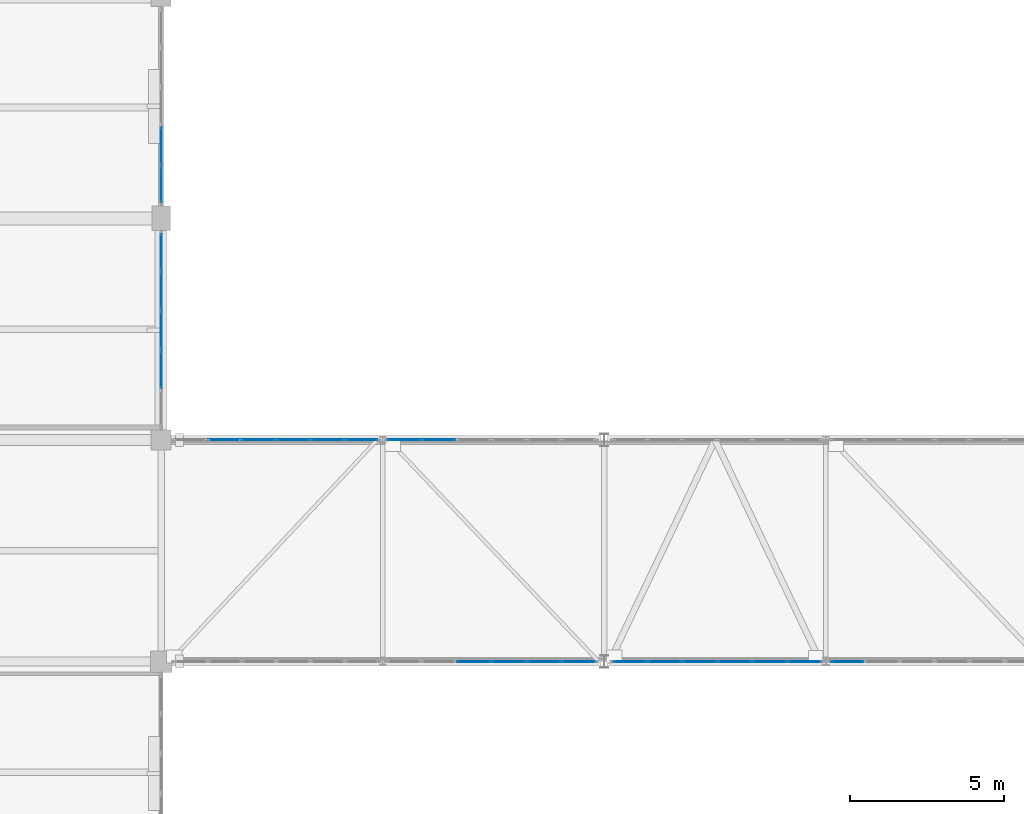
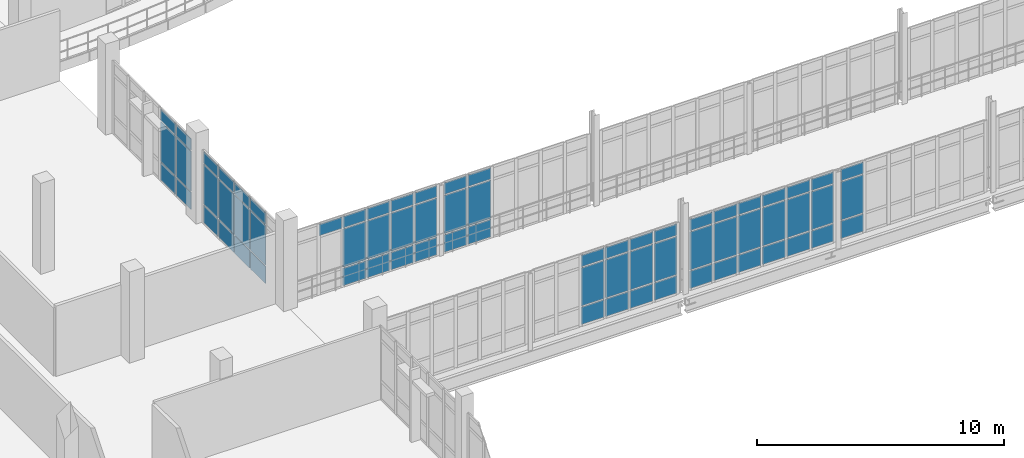
# One storey, part 85 of 116: 70 plates, 7 elements without a shape of their own.
"""IFC4 building model written with IfcOpenShell, lengths in metres."""

from ifc_helpers import new_model, si_unit, direction, frame, origin, origin_2d, place, context, subcontext, project, spatial, rectangle, extrude, material, layer, layer_set, type_object, element, aggregate, save


model = new_model("IFC4")

# Units and contexts
model_context = context("Model", 3, precision=1e-05, world=origin(), true_north=direction((0.0, 1.0)))
body_context = subcontext(model_context, "Body", "Model", "MODEL_VIEW")
ifc_project = project(units=[si_unit("LENGTHUNIT", "METRE"), si_unit("AREAUNIT", "SQUARE_METRE"), si_unit("VOLUMEUNIT", "CUBIC_METRE"), si_unit("PLANEANGLEUNIT", "RADIAN"), si_unit("MASSUNIT", "GRAM", prefix="KILO")], contexts=[model_context])

# Site, building, storey
site_placement = place(None, origin())
site = spatial("IfcSite", under=ifc_project, at=site_placement, CompositionType="ELEMENT")
building_placement = place(site_placement, origin())
building = spatial("IfcBuilding", under=site, at=building_placement, Name="Kalluvel Institute of Natural Sciences", CompositionType="ELEMENT")
storey_placement = place(building_placement, frame((0.0, 0.0, 14.39990234375)))
storey = spatial("IfcBuildingStorey", under=building, at=storey_placement, Name="L03", CompositionType="ELEMENT", Elevation=14.39990234375)

# Curtain wall, plates
ifc_material_1 = material(Name="Aluminium AW-6063 T6", Category="aluminium")
curtain_wall_type_1 = type_object("IfcCurtainWallType", Name="CW-DRY-45", PredefinedType="USERDEFINED", material=ifc_material_1)
curtain_wall_1_placement = place(storey_placement, origin())
curtain_wall_1 = element("IfcCurtainWall", 1, at=curtain_wall_1_placement, inside=storey, type_object=curtain_wall_type_1, Name="L03 Gothic lancet curtain wall CWA-L03-X356-Y360", ObjectType="UNITISED LANCET FACADE", PredefinedType="USERDEFINED")
ifc_material_2 = material(Name="Solar-Control Low-E Laminated Glass", Category="glass")
ifc_layer = layer(ifc_material_2, 0.031982421875)
ifc_layer_set = layer_set([ifc_layer], Name="Solar-Control Low-E Laminated Glass")
plate_type = type_object("IfcPlateType", Name="CWP-DGU-32", PredefinedType="CURTAIN_PANEL", material=ifc_layer_set)
plate_1_placement = place(storey_placement, frame((35.60009765625, 37.887451171875, 0.065185546875), z_axis=(0.0, 0.0, 1.0), x_axis=(0.0, 1.0, 0.0)))
plate_1 = element("IfcPlate", 2, at=plate_1_placement, type_object=plate_type, Name="CW-03 panel 2.1", PredefinedType="CURTAIN_PANEL", context=body_context, shape_type="SweptSolid", body=[
    extrude(rectangle(XDim=1.2099609375, YDim=0.031982421875, at=origin_2d()), origin(), (0.0, 0.0, 1.0), 0.8525390625),
])
plate_2_placement = place(storey_placement, frame((35.60009765625, 37.887451171875, 0.982666015625), z_axis=(0.0, 0.0, 1.0), x_axis=(0.0, 1.0, 0.0)))
plate_2 = element("IfcPlate", 3, at=plate_2_placement, type_object=plate_type, Name="CW-03 panel 2.2", PredefinedType="CURTAIN_PANEL", context=body_context, shape_type="SweptSolid", body=[
    extrude(rectangle(XDim=1.2099609375, YDim=0.031982421875, at=origin_2d()), origin(), (0.0, 0.0, 1.0), 1.955078125),
])
plate_3_placement = place(storey_placement, frame((35.60009765625, 37.887451171875, 3.00244140625), z_axis=(0.0, 0.0, 1.0), x_axis=(0.0, 1.0, 0.0)))
plate_3 = element("IfcPlate", 4, at=plate_3_placement, type_object=plate_type, Name="CW-03 panel 2.3", PredefinedType="CURTAIN_PANEL", context=body_context, shape_type="SweptSolid", body=[
    extrude(rectangle(XDim=1.2099609375, YDim=0.031982421875, at=origin_2d()), origin(), (0.0, 0.0, 1.0), 0.552490234375),
])
plate_4_placement = place(storey_placement, frame((35.60009765625, 39.16259765625, 0.065185546875), z_axis=(0.0, 0.0, 1.0), x_axis=(0.0, 1.0, 0.0)))
plate_4 = element("IfcPlate", 5, at=plate_4_placement, type_object=plate_type, Name="CW-03 panel 3.1", PredefinedType="CURTAIN_PANEL", context=body_context, shape_type="SweptSolid", body=[
    extrude(rectangle(XDim=1.2099609375, YDim=0.031982421875, at=origin_2d()), origin(), (0.0, 0.0, 1.0), 0.8525390625),
])
plate_5_placement = place(storey_placement, frame((35.60009765625, 39.16259765625, 0.982666015625), z_axis=(0.0, 0.0, 1.0), x_axis=(0.0, 1.0, 0.0)))
plate_5 = element("IfcPlate", 6, at=plate_5_placement, type_object=plate_type, Name="CW-03 panel 3.2", PredefinedType="CURTAIN_PANEL", context=body_context, shape_type="SweptSolid", body=[
    extrude(rectangle(XDim=1.2099609375, YDim=0.031982421875, at=origin_2d()), origin(), (0.0, 0.0, 1.0), 1.955078125),
])
plate_6_placement = place(storey_placement, frame((35.60009765625, 39.16259765625, 3.00244140625), z_axis=(0.0, 0.0, 1.0), x_axis=(0.0, 1.0, 0.0)))
plate_6 = element("IfcPlate", 7, at=plate_6_placement, type_object=plate_type, Name="CW-03 panel 3.3", PredefinedType="CURTAIN_PANEL", context=body_context, shape_type="SweptSolid", body=[
    extrude(rectangle(XDim=1.2099609375, YDim=0.031982421875, at=origin_2d()), origin(), (0.0, 0.0, 1.0), 0.552490234375),
])
plate_7_placement = place(storey_placement, frame((35.60009765625, 40.4375, 0.065185546875), z_axis=(0.0, 0.0, 1.0), x_axis=(0.0, 1.0, 0.0)))
plate_7 = element("IfcPlate", 8, at=plate_7_placement, type_object=plate_type, Name="CW-03 panel 4.1", PredefinedType="CURTAIN_PANEL", context=body_context, shape_type="SweptSolid", body=[
    extrude(rectangle(XDim=1.2099609375, YDim=0.031982421875, at=origin_2d()), origin(), (0.0, 0.0, 1.0), 0.8525390625),
])
plate_8_placement = place(storey_placement, frame((35.60009765625, 40.4375, 0.982666015625), z_axis=(0.0, 0.0, 1.0), x_axis=(0.0, 1.0, 0.0)))
plate_8 = element("IfcPlate", 9, at=plate_8_placement, type_object=plate_type, Name="CW-03 panel 4.2", PredefinedType="CURTAIN_PANEL", context=body_context, shape_type="SweptSolid", body=[
    extrude(rectangle(XDim=1.2099609375, YDim=0.031982421875, at=origin_2d()), origin(), (0.0, 0.0, 1.0), 1.955078125),
])
plate_9_placement = place(storey_placement, frame((35.60009765625, 40.4375, 3.00244140625), z_axis=(0.0, 0.0, 1.0), x_axis=(0.0, 1.0, 0.0)))
plate_9 = element("IfcPlate", 10, at=plate_9_placement, type_object=plate_type, Name="CW-03 panel 4.3", PredefinedType="CURTAIN_PANEL", context=body_context, shape_type="SweptSolid", body=[
    extrude(rectangle(XDim=1.2099609375, YDim=0.031982421875, at=origin_2d()), origin(), (0.0, 0.0, 1.0), 0.552490234375),
])
plate_10_placement = place(storey_placement, frame((35.60009765625, 41.6962890625, 0.065185546875), z_axis=(0.0, 0.0, 1.0), x_axis=(0.0, 1.0, 0.0)))
plate_10 = element("IfcPlate", 11, at=plate_10_placement, type_object=plate_type, Name="CW-03 panel 5.1", PredefinedType="CURTAIN_PANEL", context=body_context, shape_type="SweptSolid", body=[
    extrude(rectangle(XDim=1.177490234375, YDim=0.031982421875, at=origin_2d()), origin(), (0.0, 0.0, 1.0), 0.8525390625),
])
plate_11_placement = place(storey_placement, frame((35.60009765625, 41.6962890625, 0.982666015625), z_axis=(0.0, 0.0, 1.0), x_axis=(0.0, 1.0, 0.0)))
plate_11 = element("IfcPlate", 12, at=plate_11_placement, type_object=plate_type, Name="CW-03 panel 5.2", PredefinedType="CURTAIN_PANEL", context=body_context, shape_type="SweptSolid", body=[
    extrude(rectangle(XDim=1.177490234375, YDim=0.031982421875, at=origin_2d()), origin(), (0.0, 0.0, 1.0), 1.955078125),
])
plate_12_placement = place(storey_placement, frame((35.60009765625, 41.6962890625, 3.00244140625), z_axis=(0.0, 0.0, 1.0), x_axis=(0.0, 1.0, 0.0)))
plate_12 = element("IfcPlate", 13, at=plate_12_placement, type_object=plate_type, Name="CW-03 panel 5.3", PredefinedType="CURTAIN_PANEL", context=body_context, shape_type="SweptSolid", body=[
    extrude(rectangle(XDim=1.177490234375, YDim=0.031982421875, at=origin_2d()), origin(), (0.0, 0.0, 1.0), 0.552490234375),
])
aggregate(curtain_wall_1, [plate_1, plate_2, plate_3, plate_4, plate_5, plate_6, plate_7, plate_8, plate_9, plate_10, plate_11, plate_12])

curtain_wall_2_placement = place(storey_placement, origin())
curtain_wall_2 = element("IfcCurtainWall", 14, at=curtain_wall_2_placement, inside=storey, type_object=curtain_wall_type_1, Name="L03 Gothic lancet curtain wall CWA-L03-X356-Y432", ObjectType="UNITISED LANCET FACADE", PredefinedType="USERDEFINED")
plate_13_placement = place(storey_placement, frame((35.60009765625, 43.90380859375, 0.065185546875), z_axis=(0.0, 0.0, 1.0), x_axis=(0.0, 1.0, 0.0)))
plate_13 = element("IfcPlate", 15, at=plate_13_placement, type_object=plate_type, Name="CW-03 panel 1.1", PredefinedType="CURTAIN_PANEL", context=body_context, shape_type="SweptSolid", body=[
    extrude(rectangle(XDim=1.177490234375, YDim=0.031982421875, at=origin_2d()), origin(), (0.0, 0.0, 1.0), 0.8525390625),
])
plate_14_placement = place(storey_placement, frame((35.60009765625, 43.90380859375, 0.982666015625), z_axis=(0.0, 0.0, 1.0), x_axis=(0.0, 1.0, 0.0)))
plate_14 = element("IfcPlate", 16, at=plate_14_placement, type_object=plate_type, Name="CW-03 panel 1.2", PredefinedType="CURTAIN_PANEL", context=body_context, shape_type="SweptSolid", body=[
    extrude(rectangle(XDim=1.177490234375, YDim=0.031982421875, at=origin_2d()), origin(), (0.0, 0.0, 1.0), 1.955078125),
])
plate_15_placement = place(storey_placement, frame((35.60009765625, 43.90380859375, 3.00244140625), z_axis=(0.0, 0.0, 1.0), x_axis=(0.0, 1.0, 0.0)))
plate_15 = element("IfcPlate", 17, at=plate_15_placement, type_object=plate_type, Name="CW-03 panel 1.3", PredefinedType="CURTAIN_PANEL", context=body_context, shape_type="SweptSolid", body=[
    extrude(rectangle(XDim=1.177490234375, YDim=0.031982421875, at=origin_2d()), origin(), (0.0, 0.0, 1.0), 0.552490234375),
])
plate_16_placement = place(storey_placement, frame((35.60009765625, 45.16259765625, 0.065185546875), z_axis=(0.0, 0.0, 1.0), x_axis=(0.0, 1.0, 0.0)))
plate_16 = element("IfcPlate", 18, at=plate_16_placement, type_object=plate_type, Name="CW-03 panel 2.1", PredefinedType="CURTAIN_PANEL", context=body_context, shape_type="SweptSolid", body=[
    extrude(rectangle(XDim=1.2099609375, YDim=0.031982421875, at=origin_2d()), origin(), (0.0, 0.0, 1.0), 0.8525390625),
])
plate_17_placement = place(storey_placement, frame((35.60009765625, 45.16259765625, 0.982666015625), z_axis=(0.0, 0.0, 1.0), x_axis=(0.0, 1.0, 0.0)))
plate_17 = element("IfcPlate", 19, at=plate_17_placement, type_object=plate_type, Name="CW-03 panel 2.2", PredefinedType="CURTAIN_PANEL", context=body_context, shape_type="SweptSolid", body=[
    extrude(rectangle(XDim=1.2099609375, YDim=0.031982421875, at=origin_2d()), origin(), (0.0, 0.0, 1.0), 1.955078125),
])
plate_18_placement = place(storey_placement, frame((35.60009765625, 45.16259765625, 3.00244140625), z_axis=(0.0, 0.0, 1.0), x_axis=(0.0, 1.0, 0.0)))
plate_18 = element("IfcPlate", 20, at=plate_18_placement, type_object=plate_type, Name="CW-03 panel 2.3", PredefinedType="CURTAIN_PANEL", context=body_context, shape_type="SweptSolid", body=[
    extrude(rectangle(XDim=1.2099609375, YDim=0.031982421875, at=origin_2d()), origin(), (0.0, 0.0, 1.0), 0.552490234375),
])
aggregate(curtain_wall_2, [plate_13, plate_14, plate_15, plate_16, plate_17, plate_18])

curtain_wall_type_2 = type_object("IfcCurtainWallType", Name="CW-BRG-45", PredefinedType="USERDEFINED", material=ifc_material_1)
curtain_wall_3_placement = place(storey_placement, origin())
curtain_wall_3 = element("IfcCurtainWall", 21, at=curtain_wall_3_placement, inside=storey, type_object=curtain_wall_type_2, Name="L03 Gothic lancet curtain wall CWA-L03-X360-Y356", ObjectType="UNITISED LANCET FACADE", PredefinedType="USERDEFINED")
plate_19_placement = place(storey_placement, frame((37.65380859375, 35.60009765625, 2.920166015625), z_axis=(0.0, 0.0, 1.0), x_axis=(1.0, 0.0, 0.0)))
plate_19 = element("IfcPlate", 22, at=plate_19_placement, type_object=plate_type, Name="CW-07 panel 2.3", PredefinedType="CURTAIN_PANEL", context=body_context, shape_type="SweptSolid", body=[
    extrude(rectangle(XDim=1.05908203125, YDim=0.031982421875, at=origin_2d()), origin(), (0.0, 0.0, 1.0), 0.56005859375),
])
plate_20_placement = place(storey_placement, frame((38.77294921875, 35.60009765625, 0.06005859375), z_axis=(0.0, 0.0, 1.0), x_axis=(1.0, 0.0, 0.0)))
plate_20 = element("IfcPlate", 23, at=plate_20_placement, type_object=plate_type, Name="CW-07 panel 3.1", PredefinedType="CURTAIN_PANEL", context=body_context, shape_type="SweptSolid", body=[
    extrude(rectangle(XDim=1.05908203125, YDim=0.031982421875, at=origin_2d()), origin(), (0.0, 0.0, 1.0), 0.860107421875),
])
plate_21_placement = place(storey_placement, frame((38.77294921875, 35.60009765625, 0.980224609375), z_axis=(0.0, 0.0, 1.0), x_axis=(1.0, 0.0, 0.0)))
plate_21 = element("IfcPlate", 24, at=plate_21_placement, type_object=plate_type, Name="CW-07 panel 3.2", PredefinedType="CURTAIN_PANEL", context=body_context, shape_type="SweptSolid", body=[
    extrude(rectangle(XDim=1.05908203125, YDim=0.031982421875, at=origin_2d()), origin(), (0.0, 0.0, 1.0), 1.8798828125),
])
plate_22_placement = place(storey_placement, frame((38.77294921875, 35.60009765625, 2.920166015625), z_axis=(0.0, 0.0, 1.0), x_axis=(1.0, 0.0, 0.0)))
plate_22 = element("IfcPlate", 25, at=plate_22_placement, type_object=plate_type, Name="CW-07 panel 3.3", PredefinedType="CURTAIN_PANEL", context=body_context, shape_type="SweptSolid", body=[
    extrude(rectangle(XDim=1.05908203125, YDim=0.031982421875, at=origin_2d()), origin(), (0.0, 0.0, 1.0), 0.56005859375),
])
plate_23_placement = place(storey_placement, frame((39.89208984375, 35.60009765625, 0.06005859375), z_axis=(0.0, 0.0, 1.0), x_axis=(1.0, 0.0, 0.0)))
plate_23 = element("IfcPlate", 26, at=plate_23_placement, type_object=plate_type, Name="CW-07 panel 4.1", PredefinedType="CURTAIN_PANEL", context=body_context, shape_type="SweptSolid", body=[
    extrude(rectangle(XDim=1.05908203125, YDim=0.031982421875, at=origin_2d()), origin(), (0.0, 0.0, 1.0), 0.860107421875),
])
plate_24_placement = place(storey_placement, frame((39.89208984375, 35.60009765625, 0.980224609375), z_axis=(0.0, 0.0, 1.0), x_axis=(1.0, 0.0, 0.0)))
plate_24 = element("IfcPlate", 27, at=plate_24_placement, type_object=plate_type, Name="CW-07 panel 4.2", PredefinedType="CURTAIN_PANEL", context=body_context, shape_type="SweptSolid", body=[
    extrude(rectangle(XDim=1.05908203125, YDim=0.031982421875, at=origin_2d()), origin(), (0.0, 0.0, 1.0), 1.8798828125),
])
plate_25_placement = place(storey_placement, frame((39.89208984375, 35.60009765625, 2.920166015625), z_axis=(0.0, 0.0, 1.0), x_axis=(1.0, 0.0, 0.0)))
plate_25 = element("IfcPlate", 28, at=plate_25_placement, type_object=plate_type, Name="CW-07 panel 4.3", PredefinedType="CURTAIN_PANEL", context=body_context, shape_type="SweptSolid", body=[
    extrude(rectangle(XDim=1.05908203125, YDim=0.031982421875, at=origin_2d()), origin(), (0.0, 0.0, 1.0), 0.56005859375),
])
plate_26_placement = place(storey_placement, frame((41.01123046875, 35.60009765625, 0.06005859375), z_axis=(0.0, 0.0, 1.0), x_axis=(1.0, 0.0, 0.0)))
plate_26 = element("IfcPlate", 29, at=plate_26_placement, type_object=plate_type, Name="CW-07 panel 5.1", PredefinedType="CURTAIN_PANEL", context=body_context, shape_type="SweptSolid", body=[
    extrude(rectangle(XDim=1.05908203125, YDim=0.031982421875, at=origin_2d()), origin(), (0.0, 0.0, 1.0), 0.860107421875),
])
plate_27_placement = place(storey_placement, frame((41.01123046875, 35.60009765625, 0.980224609375), z_axis=(0.0, 0.0, 1.0), x_axis=(1.0, 0.0, 0.0)))
plate_27 = element("IfcPlate", 30, at=plate_27_placement, type_object=plate_type, Name="CW-07 panel 5.2", PredefinedType="CURTAIN_PANEL", context=body_context, shape_type="SweptSolid", body=[
    extrude(rectangle(XDim=1.05908203125, YDim=0.031982421875, at=origin_2d()), origin(), (0.0, 0.0, 1.0), 1.8798828125),
])
plate_28_placement = place(storey_placement, frame((41.01123046875, 35.60009765625, 2.920166015625), z_axis=(0.0, 0.0, 1.0), x_axis=(1.0, 0.0, 0.0)))
plate_28 = element("IfcPlate", 31, at=plate_28_placement, type_object=plate_type, Name="CW-07 panel 5.3", PredefinedType="CURTAIN_PANEL", context=body_context, shape_type="SweptSolid", body=[
    extrude(rectangle(XDim=1.05908203125, YDim=0.031982421875, at=origin_2d()), origin(), (0.0, 0.0, 1.0), 0.56005859375),
])
plate_29_placement = place(storey_placement, frame((42.115478515625, 35.60009765625, 0.06005859375), z_axis=(0.0, 0.0, 1.0), x_axis=(1.0, 0.0, 0.0)))
plate_29 = element("IfcPlate", 32, at=plate_29_placement, type_object=plate_type, Name="CW-07 panel 6.1", PredefinedType="CURTAIN_PANEL", context=body_context, shape_type="SweptSolid", body=[
    extrude(rectangle(XDim=1.029052734375, YDim=0.031982421875, at=origin_2d()), origin(), (0.0, 0.0, 1.0), 0.860107421875),
])
plate_30_placement = place(storey_placement, frame((42.115478515625, 35.60009765625, 0.980224609375), z_axis=(0.0, 0.0, 1.0), x_axis=(1.0, 0.0, 0.0)))
plate_30 = element("IfcPlate", 33, at=plate_30_placement, type_object=plate_type, Name="CW-07 panel 6.2", PredefinedType="CURTAIN_PANEL", context=body_context, shape_type="SweptSolid", body=[
    extrude(rectangle(XDim=1.029052734375, YDim=0.031982421875, at=origin_2d()), origin(), (0.0, 0.0, 1.0), 1.8798828125),
])
plate_31_placement = place(storey_placement, frame((42.115478515625, 35.60009765625, 2.920166015625), z_axis=(0.0, 0.0, 1.0), x_axis=(1.0, 0.0, 0.0)))
plate_31 = element("IfcPlate", 34, at=plate_31_placement, type_object=plate_type, Name="CW-07 panel 6.3", PredefinedType="CURTAIN_PANEL", context=body_context, shape_type="SweptSolid", body=[
    extrude(rectangle(XDim=1.029052734375, YDim=0.031982421875, at=origin_2d()), origin(), (0.0, 0.0, 1.0), 0.56005859375),
])
aggregate(curtain_wall_3, [plate_19, plate_20, plate_21, plate_22, plate_23, plate_24, plate_25, plate_26, plate_27, plate_28, plate_29, plate_30, plate_31])

curtain_wall_4_placement = place(storey_placement, origin())
curtain_wall_4 = element("IfcCurtainWall", 35, at=curtain_wall_4_placement, inside=storey, type_object=curtain_wall_type_2, Name="L03 Gothic lancet curtain wall CWA-L03-X429-Y284", ObjectType="UNITISED LANCET FACADE", PredefinedType="USERDEFINED")
plate_32_placement = place(storey_placement, frame((45.760009765625, 28.39990234375, 0.06005859375), z_axis=(0.0, 0.0, 1.0), x_axis=(1.0, 0.0, 0.0)))
plate_32 = element("IfcPlate", 36, at=plate_32_placement, type_object=plate_type, Name="CW-07 panel 3.1", PredefinedType="CURTAIN_PANEL", context=body_context, shape_type="SweptSolid", body=[
    extrude(rectangle(XDim=1.080078125, YDim=0.031982421875, at=origin_2d()), origin(), (0.0, 0.0, 1.0), 0.860107421875),
])
plate_33_placement = place(storey_placement, frame((45.760009765625, 28.39990234375, 0.980224609375), z_axis=(0.0, 0.0, 1.0), x_axis=(1.0, 0.0, 0.0)))
plate_33 = element("IfcPlate", 37, at=plate_33_placement, type_object=plate_type, Name="CW-07 panel 3.2", PredefinedType="CURTAIN_PANEL", context=body_context, shape_type="SweptSolid", body=[
    extrude(rectangle(XDim=1.080078125, YDim=0.031982421875, at=origin_2d()), origin(), (0.0, 0.0, 1.0), 1.8798828125),
])
plate_34_placement = place(storey_placement, frame((45.760009765625, 28.39990234375, 2.920166015625), z_axis=(0.0, 0.0, 1.0), x_axis=(1.0, 0.0, 0.0)))
plate_34 = element("IfcPlate", 38, at=plate_34_placement, type_object=plate_type, Name="CW-07 panel 3.3", PredefinedType="CURTAIN_PANEL", context=body_context, shape_type="SweptSolid", body=[
    extrude(rectangle(XDim=1.080078125, YDim=0.031982421875, at=origin_2d()), origin(), (0.0, 0.0, 1.0), 0.56005859375),
])
plate_35_placement = place(storey_placement, frame((46.89990234375, 28.39990234375, 0.06005859375), z_axis=(0.0, 0.0, 1.0), x_axis=(1.0, 0.0, 0.0)))
plate_35 = element("IfcPlate", 39, at=plate_35_placement, type_object=plate_type, Name="CW-07 panel 4.1", PredefinedType="CURTAIN_PANEL", context=body_context, shape_type="SweptSolid", body=[
    extrude(rectangle(XDim=1.080078125, YDim=0.031982421875, at=origin_2d()), origin(), (0.0, 0.0, 1.0), 0.860107421875),
])
plate_36_placement = place(storey_placement, frame((46.89990234375, 28.39990234375, 0.980224609375), z_axis=(0.0, 0.0, 1.0), x_axis=(1.0, 0.0, 0.0)))
plate_36 = element("IfcPlate", 40, at=plate_36_placement, type_object=plate_type, Name="CW-07 panel 4.2", PredefinedType="CURTAIN_PANEL", context=body_context, shape_type="SweptSolid", body=[
    extrude(rectangle(XDim=1.080078125, YDim=0.031982421875, at=origin_2d()), origin(), (0.0, 0.0, 1.0), 1.8798828125),
])
plate_37_placement = place(storey_placement, frame((46.89990234375, 28.39990234375, 2.920166015625), z_axis=(0.0, 0.0, 1.0), x_axis=(1.0, 0.0, 0.0)))
plate_37 = element("IfcPlate", 41, at=plate_37_placement, type_object=plate_type, Name="CW-07 panel 4.3", PredefinedType="CURTAIN_PANEL", context=body_context, shape_type="SweptSolid", body=[
    extrude(rectangle(XDim=1.080078125, YDim=0.031982421875, at=origin_2d()), origin(), (0.0, 0.0, 1.0), 0.56005859375),
])
plate_38_placement = place(storey_placement, frame((48.0400390625, 28.39990234375, 0.06005859375), z_axis=(0.0, 0.0, 1.0), x_axis=(1.0, 0.0, 0.0)))
plate_38 = element("IfcPlate", 42, at=plate_38_placement, type_object=plate_type, Name="CW-07 panel 5.1", PredefinedType="CURTAIN_PANEL", context=body_context, shape_type="SweptSolid", body=[
    extrude(rectangle(XDim=1.080078125, YDim=0.031982421875, at=origin_2d()), origin(), (0.0, 0.0, 1.0), 0.860107421875),
])
plate_39_placement = place(storey_placement, frame((48.0400390625, 28.39990234375, 0.980224609375), z_axis=(0.0, 0.0, 1.0), x_axis=(1.0, 0.0, 0.0)))
plate_39 = element("IfcPlate", 43, at=plate_39_placement, type_object=plate_type, Name="CW-07 panel 5.2", PredefinedType="CURTAIN_PANEL", context=body_context, shape_type="SweptSolid", body=[
    extrude(rectangle(XDim=1.080078125, YDim=0.031982421875, at=origin_2d()), origin(), (0.0, 0.0, 1.0), 1.8798828125),
])
plate_40_placement = place(storey_placement, frame((48.0400390625, 28.39990234375, 2.920166015625), z_axis=(0.0, 0.0, 1.0), x_axis=(1.0, 0.0, 0.0)))
plate_40 = element("IfcPlate", 44, at=plate_40_placement, type_object=plate_type, Name="CW-07 panel 5.3", PredefinedType="CURTAIN_PANEL", context=body_context, shape_type="SweptSolid", body=[
    extrude(rectangle(XDim=1.080078125, YDim=0.031982421875, at=origin_2d()), origin(), (0.0, 0.0, 1.0), 0.56005859375),
])
plate_41_placement = place(storey_placement, frame((49.1650390625, 28.39990234375, 0.06005859375), z_axis=(0.0, 0.0, 1.0), x_axis=(1.0, 0.0, 0.0)))
plate_41 = element("IfcPlate", 45, at=plate_41_placement, type_object=plate_type, Name="CW-07 panel 6.1", PredefinedType="CURTAIN_PANEL", context=body_context, shape_type="SweptSolid", body=[
    extrude(rectangle(XDim=1.050048828125, YDim=0.031982421875, at=origin_2d()), origin(), (0.0, 0.0, 1.0), 0.860107421875),
])
plate_42_placement = place(storey_placement, frame((49.1650390625, 28.39990234375, 0.980224609375), z_axis=(0.0, 0.0, 1.0), x_axis=(1.0, 0.0, 0.0)))
plate_42 = element("IfcPlate", 46, at=plate_42_placement, type_object=plate_type, Name="CW-07 panel 6.2", PredefinedType="CURTAIN_PANEL", context=body_context, shape_type="SweptSolid", body=[
    extrude(rectangle(XDim=1.050048828125, YDim=0.031982421875, at=origin_2d()), origin(), (0.0, 0.0, 1.0), 1.8798828125),
])
plate_43_placement = place(storey_placement, frame((49.1650390625, 28.39990234375, 2.920166015625), z_axis=(0.0, 0.0, 1.0), x_axis=(1.0, 0.0, 0.0)))
plate_43 = element("IfcPlate", 47, at=plate_43_placement, type_object=plate_type, Name="CW-07 panel 6.3", PredefinedType="CURTAIN_PANEL", context=body_context, shape_type="SweptSolid", body=[
    extrude(rectangle(XDim=1.050048828125, YDim=0.031982421875, at=origin_2d()), origin(), (0.0, 0.0, 1.0), 0.56005859375),
])
aggregate(curtain_wall_4, [plate_32, plate_33, plate_34, plate_35, plate_36, plate_37, plate_38, plate_39, plate_40, plate_41, plate_42, plate_43])

curtain_wall_5_placement = place(storey_placement, origin())
curtain_wall_5 = element("IfcCurtainWall", 48, at=curtain_wall_5_placement, inside=storey, type_object=curtain_wall_type_2, Name="L03 Gothic lancet curtain wall CWA-L03-X429-Y356", ObjectType="UNITISED LANCET FACADE", PredefinedType="USERDEFINED")
plate_44_placement = place(storey_placement, frame((43.4951171875, 35.60009765625, 0.06005859375), z_axis=(0.0, 0.0, 1.0), x_axis=(1.0, 0.0, 0.0)))
plate_44 = element("IfcPlate", 49, at=plate_44_placement, type_object=plate_type, Name="CW-07 panel 1.1", PredefinedType="CURTAIN_PANEL", context=body_context, shape_type="SweptSolid", body=[
    extrude(rectangle(XDim=1.050048828125, YDim=0.031982421875, at=origin_2d()), origin(), (0.0, 0.0, 1.0), 0.860107421875),
])
plate_45_placement = place(storey_placement, frame((43.4951171875, 35.60009765625, 0.980224609375), z_axis=(0.0, 0.0, 1.0), x_axis=(1.0, 0.0, 0.0)))
plate_45 = element("IfcPlate", 50, at=plate_45_placement, type_object=plate_type, Name="CW-07 panel 1.2", PredefinedType="CURTAIN_PANEL", context=body_context, shape_type="SweptSolid", body=[
    extrude(rectangle(XDim=1.050048828125, YDim=0.031982421875, at=origin_2d()), origin(), (0.0, 0.0, 1.0), 1.8798828125),
])
plate_46_placement = place(storey_placement, frame((43.4951171875, 35.60009765625, 2.920166015625), z_axis=(0.0, 0.0, 1.0), x_axis=(1.0, 0.0, 0.0)))
plate_46 = element("IfcPlate", 51, at=plate_46_placement, type_object=plate_type, Name="CW-07 panel 1.3", PredefinedType="CURTAIN_PANEL", context=body_context, shape_type="SweptSolid", body=[
    extrude(rectangle(XDim=1.050048828125, YDim=0.031982421875, at=origin_2d()), origin(), (0.0, 0.0, 1.0), 0.56005859375),
])
plate_47_placement = place(storey_placement, frame((44.6201171875, 35.60009765625, 0.06005859375), z_axis=(0.0, 0.0, 1.0), x_axis=(1.0, 0.0, 0.0)))
plate_47 = element("IfcPlate", 52, at=plate_47_placement, type_object=plate_type, Name="CW-07 panel 2.1", PredefinedType="CURTAIN_PANEL", context=body_context, shape_type="SweptSolid", body=[
    extrude(rectangle(XDim=1.080078125, YDim=0.031982421875, at=origin_2d()), origin(), (0.0, 0.0, 1.0), 0.860107421875),
])
plate_48_placement = place(storey_placement, frame((44.6201171875, 35.60009765625, 0.980224609375), z_axis=(0.0, 0.0, 1.0), x_axis=(1.0, 0.0, 0.0)))
plate_48 = element("IfcPlate", 53, at=plate_48_placement, type_object=plate_type, Name="CW-07 panel 2.2", PredefinedType="CURTAIN_PANEL", context=body_context, shape_type="SweptSolid", body=[
    extrude(rectangle(XDim=1.080078125, YDim=0.031982421875, at=origin_2d()), origin(), (0.0, 0.0, 1.0), 1.8798828125),
])
plate_49_placement = place(storey_placement, frame((44.6201171875, 35.60009765625, 2.920166015625), z_axis=(0.0, 0.0, 1.0), x_axis=(1.0, 0.0, 0.0)))
plate_49 = element("IfcPlate", 54, at=plate_49_placement, type_object=plate_type, Name="CW-07 panel 2.3", PredefinedType="CURTAIN_PANEL", context=body_context, shape_type="SweptSolid", body=[
    extrude(rectangle(XDim=1.080078125, YDim=0.031982421875, at=origin_2d()), origin(), (0.0, 0.0, 1.0), 0.56005859375),
])
aggregate(curtain_wall_5, [plate_44, plate_45, plate_46, plate_47, plate_48, plate_49])

curtain_wall_6_placement = place(storey_placement, origin())
curtain_wall_6 = element("IfcCurtainWall", 55, at=curtain_wall_6_placement, inside=storey, type_object=curtain_wall_type_2, Name="L03 Gothic lancet curtain wall CWA-L03-X502-Y284", ObjectType="UNITISED LANCET FACADE", PredefinedType="USERDEFINED")
plate_50_placement = place(storey_placement, frame((50.8349609375, 28.39990234375, 0.06005859375), z_axis=(0.0, 0.0, 1.0), x_axis=(1.0, 0.0, 0.0)))
plate_50 = element("IfcPlate", 56, at=plate_50_placement, type_object=plate_type, Name="CW-07 panel 1.1", PredefinedType="CURTAIN_PANEL", context=body_context, shape_type="SweptSolid", body=[
    extrude(rectangle(XDim=1.050048828125, YDim=0.031982421875, at=origin_2d()), origin(), (0.0, 0.0, 1.0), 0.860107421875),
])
plate_51_placement = place(storey_placement, frame((50.8349609375, 28.39990234375, 0.980224609375), z_axis=(0.0, 0.0, 1.0), x_axis=(1.0, 0.0, 0.0)))
plate_51 = element("IfcPlate", 57, at=plate_51_placement, type_object=plate_type, Name="CW-07 panel 1.2", PredefinedType="CURTAIN_PANEL", context=body_context, shape_type="SweptSolid", body=[
    extrude(rectangle(XDim=1.050048828125, YDim=0.031982421875, at=origin_2d()), origin(), (0.0, 0.0, 1.0), 1.8798828125),
])
plate_52_placement = place(storey_placement, frame((50.8349609375, 28.39990234375, 2.920166015625), z_axis=(0.0, 0.0, 1.0), x_axis=(1.0, 0.0, 0.0)))
plate_52 = element("IfcPlate", 58, at=plate_52_placement, type_object=plate_type, Name="CW-07 panel 1.3", PredefinedType="CURTAIN_PANEL", context=body_context, shape_type="SweptSolid", body=[
    extrude(rectangle(XDim=1.050048828125, YDim=0.031982421875, at=origin_2d()), origin(), (0.0, 0.0, 1.0), 0.56005859375),
])
plate_53_placement = place(storey_placement, frame((51.9599609375, 28.39990234375, 0.06005859375), z_axis=(0.0, 0.0, 1.0), x_axis=(1.0, 0.0, 0.0)))
plate_53 = element("IfcPlate", 59, at=plate_53_placement, type_object=plate_type, Name="CW-07 panel 2.1", PredefinedType="CURTAIN_PANEL", context=body_context, shape_type="SweptSolid", body=[
    extrude(rectangle(XDim=1.080078125, YDim=0.031982421875, at=origin_2d()), origin(), (0.0, 0.0, 1.0), 0.860107421875),
])
plate_54_placement = place(storey_placement, frame((51.9599609375, 28.39990234375, 0.980224609375), z_axis=(0.0, 0.0, 1.0), x_axis=(1.0, 0.0, 0.0)))
plate_54 = element("IfcPlate", 60, at=plate_54_placement, type_object=plate_type, Name="CW-07 panel 2.2", PredefinedType="CURTAIN_PANEL", context=body_context, shape_type="SweptSolid", body=[
    extrude(rectangle(XDim=1.080078125, YDim=0.031982421875, at=origin_2d()), origin(), (0.0, 0.0, 1.0), 1.8798828125),
])
plate_55_placement = place(storey_placement, frame((51.9599609375, 28.39990234375, 2.920166015625), z_axis=(0.0, 0.0, 1.0), x_axis=(1.0, 0.0, 0.0)))
plate_55 = element("IfcPlate", 61, at=plate_55_placement, type_object=plate_type, Name="CW-07 panel 2.3", PredefinedType="CURTAIN_PANEL", context=body_context, shape_type="SweptSolid", body=[
    extrude(rectangle(XDim=1.080078125, YDim=0.031982421875, at=origin_2d()), origin(), (0.0, 0.0, 1.0), 0.56005859375),
])
plate_56_placement = place(storey_placement, frame((53.10009765625, 28.39990234375, 0.06005859375), z_axis=(0.0, 0.0, 1.0), x_axis=(1.0, 0.0, 0.0)))
plate_56 = element("IfcPlate", 62, at=plate_56_placement, type_object=plate_type, Name="CW-07 panel 3.1", PredefinedType="CURTAIN_PANEL", context=body_context, shape_type="SweptSolid", body=[
    extrude(rectangle(XDim=1.080078125, YDim=0.031982421875, at=origin_2d()), origin(), (0.0, 0.0, 1.0), 0.860107421875),
])
plate_57_placement = place(storey_placement, frame((53.10009765625, 28.39990234375, 0.980224609375), z_axis=(0.0, 0.0, 1.0), x_axis=(1.0, 0.0, 0.0)))
plate_57 = element("IfcPlate", 63, at=plate_57_placement, type_object=plate_type, Name="CW-07 panel 3.2", PredefinedType="CURTAIN_PANEL", context=body_context, shape_type="SweptSolid", body=[
    extrude(rectangle(XDim=1.080078125, YDim=0.031982421875, at=origin_2d()), origin(), (0.0, 0.0, 1.0), 1.8798828125),
])
plate_58_placement = place(storey_placement, frame((53.10009765625, 28.39990234375, 2.920166015625), z_axis=(0.0, 0.0, 1.0), x_axis=(1.0, 0.0, 0.0)))
plate_58 = element("IfcPlate", 64, at=plate_58_placement, type_object=plate_type, Name="CW-07 panel 3.3", PredefinedType="CURTAIN_PANEL", context=body_context, shape_type="SweptSolid", body=[
    extrude(rectangle(XDim=1.080078125, YDim=0.031982421875, at=origin_2d()), origin(), (0.0, 0.0, 1.0), 0.56005859375),
])
plate_59_placement = place(storey_placement, frame((54.239990234375, 28.39990234375, 0.06005859375), z_axis=(0.0, 0.0, 1.0), x_axis=(1.0, 0.0, 0.0)))
plate_59 = element("IfcPlate", 65, at=plate_59_placement, type_object=plate_type, Name="CW-07 panel 4.1", PredefinedType="CURTAIN_PANEL", context=body_context, shape_type="SweptSolid", body=[
    extrude(rectangle(XDim=1.080078125, YDim=0.031982421875, at=origin_2d()), origin(), (0.0, 0.0, 1.0), 0.860107421875),
])
plate_60_placement = place(storey_placement, frame((54.239990234375, 28.39990234375, 0.980224609375), z_axis=(0.0, 0.0, 1.0), x_axis=(1.0, 0.0, 0.0)))
plate_60 = element("IfcPlate", 66, at=plate_60_placement, type_object=plate_type, Name="CW-07 panel 4.2", PredefinedType="CURTAIN_PANEL", context=body_context, shape_type="SweptSolid", body=[
    extrude(rectangle(XDim=1.080078125, YDim=0.031982421875, at=origin_2d()), origin(), (0.0, 0.0, 1.0), 1.8798828125),
])
plate_61_placement = place(storey_placement, frame((54.239990234375, 28.39990234375, 2.920166015625), z_axis=(0.0, 0.0, 1.0), x_axis=(1.0, 0.0, 0.0)))
plate_61 = element("IfcPlate", 67, at=plate_61_placement, type_object=plate_type, Name="CW-07 panel 4.3", PredefinedType="CURTAIN_PANEL", context=body_context, shape_type="SweptSolid", body=[
    extrude(rectangle(XDim=1.080078125, YDim=0.031982421875, at=origin_2d()), origin(), (0.0, 0.0, 1.0), 0.56005859375),
])
plate_62_placement = place(storey_placement, frame((55.3798828125, 28.39990234375, 0.06005859375), z_axis=(0.0, 0.0, 1.0), x_axis=(1.0, 0.0, 0.0)))
plate_62 = element("IfcPlate", 68, at=plate_62_placement, type_object=plate_type, Name="CW-07 panel 5.1", PredefinedType="CURTAIN_PANEL", context=body_context, shape_type="SweptSolid", body=[
    extrude(rectangle(XDim=1.080078125, YDim=0.031982421875, at=origin_2d()), origin(), (0.0, 0.0, 1.0), 0.860107421875),
])
plate_63_placement = place(storey_placement, frame((55.3798828125, 28.39990234375, 0.980224609375), z_axis=(0.0, 0.0, 1.0), x_axis=(1.0, 0.0, 0.0)))
plate_63 = element("IfcPlate", 69, at=plate_63_placement, type_object=plate_type, Name="CW-07 panel 5.2", PredefinedType="CURTAIN_PANEL", context=body_context, shape_type="SweptSolid", body=[
    extrude(rectangle(XDim=1.080078125, YDim=0.031982421875, at=origin_2d()), origin(), (0.0, 0.0, 1.0), 1.8798828125),
])
plate_64_placement = place(storey_placement, frame((55.3798828125, 28.39990234375, 2.920166015625), z_axis=(0.0, 0.0, 1.0), x_axis=(1.0, 0.0, 0.0)))
plate_64 = element("IfcPlate", 70, at=plate_64_placement, type_object=plate_type, Name="CW-07 panel 5.3", PredefinedType="CURTAIN_PANEL", context=body_context, shape_type="SweptSolid", body=[
    extrude(rectangle(XDim=1.080078125, YDim=0.031982421875, at=origin_2d()), origin(), (0.0, 0.0, 1.0), 0.56005859375),
])
plate_65_placement = place(storey_placement, frame((56.5048828125, 28.39990234375, 0.06005859375), z_axis=(0.0, 0.0, 1.0), x_axis=(1.0, 0.0, 0.0)))
plate_65 = element("IfcPlate", 71, at=plate_65_placement, type_object=plate_type, Name="CW-07 panel 6.1", PredefinedType="CURTAIN_PANEL", context=body_context, shape_type="SweptSolid", body=[
    extrude(rectangle(XDim=1.050048828125, YDim=0.031982421875, at=origin_2d()), origin(), (0.0, 0.0, 1.0), 0.860107421875),
])
plate_66_placement = place(storey_placement, frame((56.5048828125, 28.39990234375, 0.980224609375), z_axis=(0.0, 0.0, 1.0), x_axis=(1.0, 0.0, 0.0)))
plate_66 = element("IfcPlate", 72, at=plate_66_placement, type_object=plate_type, Name="CW-07 panel 6.2", PredefinedType="CURTAIN_PANEL", context=body_context, shape_type="SweptSolid", body=[
    extrude(rectangle(XDim=1.050048828125, YDim=0.031982421875, at=origin_2d()), origin(), (0.0, 0.0, 1.0), 1.8798828125),
])
plate_67_placement = place(storey_placement, frame((56.5048828125, 28.39990234375, 2.920166015625), z_axis=(0.0, 0.0, 1.0), x_axis=(1.0, 0.0, 0.0)))
plate_67 = element("IfcPlate", 73, at=plate_67_placement, type_object=plate_type, Name="CW-07 panel 6.3", PredefinedType="CURTAIN_PANEL", context=body_context, shape_type="SweptSolid", body=[
    extrude(rectangle(XDim=1.050048828125, YDim=0.031982421875, at=origin_2d()), origin(), (0.0, 0.0, 1.0), 0.56005859375),
])
aggregate(curtain_wall_6, [plate_50, plate_51, plate_52, plate_53, plate_54, plate_55, plate_56, plate_57, plate_58, plate_59, plate_60, plate_61, plate_62, plate_63, plate_64, plate_65, plate_66, plate_67])

curtain_wall_7_placement = place(storey_placement, origin())
curtain_wall_7 = element("IfcCurtainWall", 74, at=curtain_wall_7_placement, inside=storey, type_object=curtain_wall_type_2, Name="L03 Gothic lancet curtain wall CWA-L03-X573-Y284", ObjectType="UNITISED LANCET FACADE", PredefinedType="USERDEFINED")
plate_68_placement = place(storey_placement, frame((57.89501953125, 28.39990234375, 0.06005859375), z_axis=(0.0, 0.0, 1.0), x_axis=(1.0, 0.0, 0.0)))
plate_68 = element("IfcPlate", 75, at=plate_68_placement, type_object=plate_type, Name="CW-07 panel 1.1", PredefinedType="CURTAIN_PANEL", context=body_context, shape_type="SweptSolid", body=[
    extrude(rectangle(XDim=1.050048828125, YDim=0.031982421875, at=origin_2d()), origin(), (0.0, 0.0, 1.0), 0.860107421875),
])
plate_69_placement = place(storey_placement, frame((57.89501953125, 28.39990234375, 0.980224609375), z_axis=(0.0, 0.0, 1.0), x_axis=(1.0, 0.0, 0.0)))
plate_69 = element("IfcPlate", 76, at=plate_69_placement, type_object=plate_type, Name="CW-07 panel 1.2", PredefinedType="CURTAIN_PANEL", context=body_context, shape_type="SweptSolid", body=[
    extrude(rectangle(XDim=1.050048828125, YDim=0.031982421875, at=origin_2d()), origin(), (0.0, 0.0, 1.0), 1.8798828125),
])
plate_70_placement = place(storey_placement, frame((57.89501953125, 28.39990234375, 2.920166015625), z_axis=(0.0, 0.0, 1.0), x_axis=(1.0, 0.0, 0.0)))
plate_70 = element("IfcPlate", 77, at=plate_70_placement, type_object=plate_type, Name="CW-07 panel 1.3", PredefinedType="CURTAIN_PANEL", context=body_context, shape_type="SweptSolid", body=[
    extrude(rectangle(XDim=1.050048828125, YDim=0.031982421875, at=origin_2d()), origin(), (0.0, 0.0, 1.0), 0.56005859375),
])
aggregate(curtain_wall_7, [plate_68, plate_69, plate_70])

save(model, "model.ifc")
